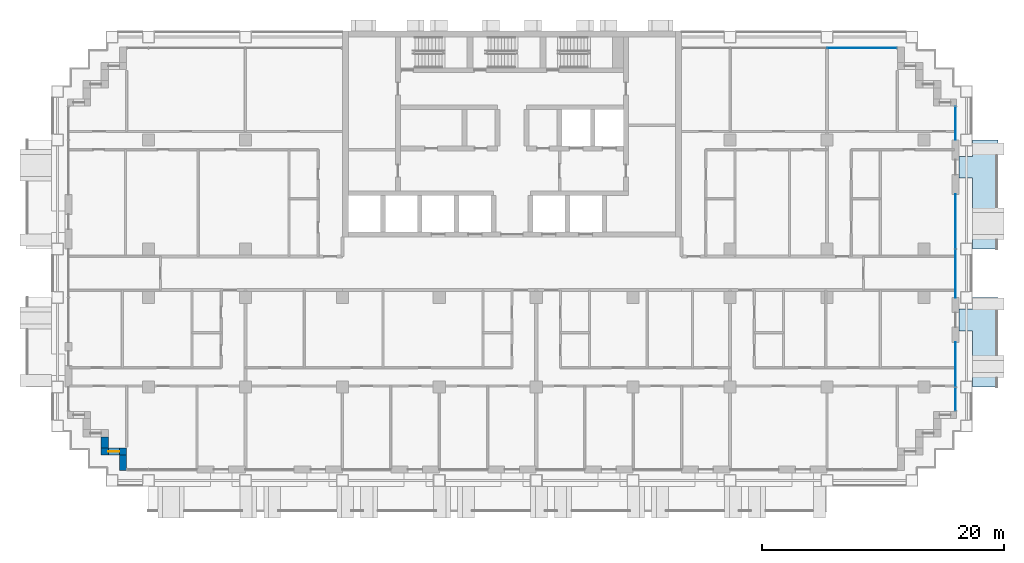
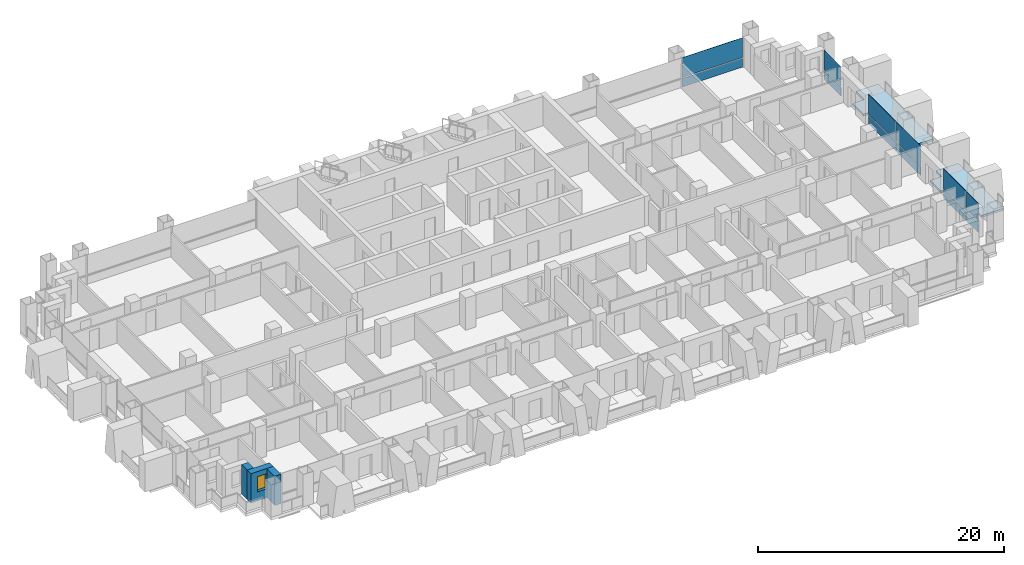
# One storey, part 8 of 18: 12 plates, 3 walls, 2 slabs, 1 window, 1 opening, 4 elements without a shape of their own.
"""IFC4 building model written with IfcOpenShell, lengths in metres."""

from ifc_helpers import new_model, si_unit, direction, frame, frame_2d, origin, origin_2d, place, context, subcontext, project, spatial, polyline, rectangle, outline, extrude, material, layer, layer_set, type_object, element, fill, aggregate, save


model = new_model("IFC4")

# Units and contexts
model_context = context("Model", 3, precision=1e-05, world=origin(), true_north=direction((0.0, 1.0)))
body_context = subcontext(model_context, "Body", "Model", "MODEL_VIEW")
ifc_project = project(units=[si_unit("LENGTHUNIT", "METRE"), si_unit("AREAUNIT", "SQUARE_METRE"), si_unit("VOLUMEUNIT", "CUBIC_METRE"), si_unit("PLANEANGLEUNIT", "RADIAN"), si_unit("MASSUNIT", "GRAM", prefix="KILO")], contexts=[model_context])

# Site, building, storey
site_placement = place(None, origin())
site = spatial("IfcSite", under=ifc_project, at=site_placement, CompositionType="ELEMENT")
building_placement = place(site_placement, origin())
building = spatial("IfcBuilding", under=site, at=building_placement, Name="Vidyagriha Tower", CompositionType="ELEMENT")
storey_placement = place(building_placement, frame((0.0, 0.0, 48.0)))
storey = spatial("IfcBuildingStorey", under=building, at=storey_placement, Name="L12", CompositionType="ELEMENT", Elevation=48.0)

# Curtain wall, plate
ifc_material_1 = material(Name="Aluminium and glass curtain wall", Category="aluminium")
curtain_wall_type = type_object("IfcCurtainWallType", Name="Dwelling skin unitised curtain wall", PredefinedType="USERDEFINED", material=ifc_material_1)
curtain_wall_1_placement = place(storey_placement, origin())
curtain_wall_1 = element("IfcCurtainWall", 1, at=curtain_wall_1_placement, inside=storey, type_object=curtain_wall_type, Name="CW1 dwelling skin", ObjectType="UNITISED", PredefinedType="USERDEFINED")
ifc_material_2 = material(Name="Glass dark ceramic-fritted spandrel", Category="glass")
ifc_layer_1 = layer(ifc_material_2, 0.0400390625)
ifc_layer_set_1 = layer_set([ifc_layer_1], Name="Glass dark ceramic-fritted spandrel")
plate_type_1 = type_object("IfcPlateType", Name="Ceramic-fritted spandrel panel", PredefinedType="CURTAIN_PANEL", material=ifc_layer_set_1)
plate_1_placement = place(storey_placement, frame((28.882568359375, 18.60009765625, 0.0), z_axis=(0.0, 0.0, 1.0), x_axis=(-1.0, 0.0, 0.0)))
plate_1 = element("IfcPlate", 2, at=plate_1_placement, type_object=plate_type_1, Name="CW1 panel 1.1", PredefinedType="CURTAIN_PANEL", context=body_context, shape_type="SweptSolid", body=[
    extrude(rectangle(XDim=5.695068359375, YDim=0.0400390625, at=origin_2d()), origin(), (0.0, 0.0, 1.0), 0.85009765625),
])

# Curtain wall, plates
curtain_wall_2_placement = place(storey_placement, origin())
curtain_wall_2 = element("IfcCurtainWall", 3, at=curtain_wall_2_placement, inside=storey, type_object=curtain_wall_type, Name="CW1 dwelling skin", ObjectType="UNITISED", PredefinedType="USERDEFINED")
plate_2_placement = place(storey_placement, frame((36.60009765625, -10.382568359375, 0.0), z_axis=(0.0, 0.0, 1.0), x_axis=(0.0, 1.0, 0.0)))
plate_2 = element("IfcPlate", 4, at=plate_2_placement, type_object=plate_type_1, Name="CW1 panel 1.1", PredefinedType="CURTAIN_PANEL", context=body_context, shape_type="SweptSolid", body=[
    extrude(rectangle(XDim=1.89501953125, YDim=0.0400390625, at=origin_2d()), origin(), (0.0, 0.0, 1.0), 0.85009765625),
])
plate_3_placement = place(storey_placement, frame((36.60009765625, -7.532470703125, 0.0), z_axis=(0.0, 0.0, 1.0), x_axis=(0.0, 1.0, 0.0)))
plate_3 = element("IfcPlate", 5, at=plate_3_placement, type_object=plate_type_1, Name="CW1 panel 2.1", PredefinedType="CURTAIN_PANEL", context=body_context, shape_type="SweptSolid", body=[
    extrude(rectangle(XDim=3.6650390625, YDim=0.0400390625, at=origin_2d()), origin(), (0.0, 0.0, 1.0), 0.85009765625),
])

# Curtain wall, plate
curtain_wall_3_placement = place(storey_placement, origin())
curtain_wall_3 = element("IfcCurtainWall", 6, at=curtain_wall_3_placement, inside=storey, type_object=curtain_wall_type, Name="CW1 dwelling skin", ObjectType="UNITISED", PredefinedType="USERDEFINED")
plate_4_placement = place(storey_placement, frame((36.60009765625, 12.364990234375, 0.0), z_axis=(0.0, 0.0, 1.0), x_axis=(0.0, 1.0, 0.0)))
plate_4 = element("IfcPlate", 7, at=plate_4_placement, type_object=plate_type_1, Name="CW1 panel 1.1", PredefinedType="CURTAIN_PANEL", context=body_context, shape_type="SweptSolid", body=[
    extrude(rectangle(XDim=2.72998046875, YDim=0.0400390625, at=origin_2d()), origin(), (0.0, 0.0, 1.0), 0.85009765625),
])

# Plate
ifc_material_3 = material(Name="Glass dark ceramic-fritted", Category="glass")
ifc_layer_2 = layer(ifc_material_3, 0.028076171875)
ifc_layer_set_2 = layer_set([ifc_layer_2], Name="Glass dark ceramic-fritted")
plate_type_2 = type_object("IfcPlateType", Name="Dark ceramic-fritted vision glass panel", PredefinedType="CURTAIN_PANEL", material=ifc_layer_set_2)
plate_5_placement = place(storey_placement, frame((28.882568359375, 18.60009765625, 0.9501953125), z_axis=(0.0, 0.0, 1.0), x_axis=(-1.0, 0.0, 0.0)))
plate_5 = element("IfcPlate", 8, at=plate_5_placement, type_object=plate_type_2, Name="CW1 panel 1.2", PredefinedType="CURTAIN_PANEL", context=body_context, shape_type="SweptSolid", body=[
    extrude(rectangle(XDim=5.695068359375, YDim=0.028076171875, at=origin_2d()), origin(), (0.0, 0.0, 1.0), 1.969970703125),
])

aggregate(curtain_wall_1, [plate_1, plate_5])

plate_6_placement = place(storey_placement, frame((36.60009765625, -10.382568359375, 0.9501953125), z_axis=(0.0, 0.0, 1.0), x_axis=(0.0, 1.0, 0.0)))
plate_6 = element("IfcPlate", 9, at=plate_6_placement, type_object=plate_type_2, Name="CW1 panel 1.2", PredefinedType="CURTAIN_PANEL", context=body_context, shape_type="SweptSolid", body=[
    extrude(rectangle(XDim=1.89501953125, YDim=0.028076171875, at=origin_2d()), origin(), (0.0, 0.0, 1.0), 1.969970703125),
])

plate_7_placement = place(storey_placement, frame((36.60009765625, -7.532470703125, 0.9501953125), z_axis=(0.0, 0.0, 1.0), x_axis=(0.0, 1.0, 0.0)))
plate_7 = element("IfcPlate", 10, at=plate_7_placement, type_object=plate_type_2, Name="CW1 panel 2.2", PredefinedType="CURTAIN_PANEL", context=body_context, shape_type="SweptSolid", body=[
    extrude(rectangle(XDim=3.6650390625, YDim=0.028076171875, at=origin_2d()), origin(), (0.0, 0.0, 1.0), 1.969970703125),
])

aggregate(curtain_wall_2, [plate_2, plate_6, plate_3, plate_7])

# Curtain wall, plates
curtain_wall_4_placement = place(storey_placement, origin())
curtain_wall_4 = element("IfcCurtainWall", 11, at=curtain_wall_4_placement, inside=storey, type_object=curtain_wall_type, Name="CW1 dwelling skin", ObjectType="UNITISED", PredefinedType="USERDEFINED")
plate_8_placement = place(storey_placement, frame((36.60009765625, -0.017578125, 0.9501953125), z_axis=(0.0, 0.0, 1.0), x_axis=(0.0, 1.0, 0.0)))
plate_8 = element("IfcPlate", 12, at=plate_8_placement, type_object=plate_type_2, Name="CW1 panel 1.2", PredefinedType="CURTAIN_PANEL", context=body_context, shape_type="SweptSolid", body=[
    extrude(rectangle(XDim=3.965087890625, YDim=0.028076171875, at=origin_2d()), origin(), (0.0, 0.0, 1.0), 1.969970703125),
])
plate_9_placement = place(storey_placement, frame((36.60009765625, 4.267578125, 0.9501953125), z_axis=(0.0, 0.0, 1.0), x_axis=(0.0, 1.0, 0.0)))
plate_9 = element("IfcPlate", 13, at=plate_9_placement, type_object=plate_type_2, Name="CW1 panel 2.2", PredefinedType="CURTAIN_PANEL", context=body_context, shape_type="SweptSolid", body=[
    extrude(rectangle(XDim=4.465087890625, YDim=0.028076171875, at=origin_2d()), origin(), (0.0, 0.0, 1.0), 1.969970703125),
])

# Plate
plate_10_placement = place(storey_placement, frame((36.60009765625, 12.364990234375, 0.9501953125), z_axis=(0.0, 0.0, 1.0), x_axis=(0.0, 1.0, 0.0)))
plate_10 = element("IfcPlate", 14, at=plate_10_placement, type_object=plate_type_2, Name="CW1 panel 1.2", PredefinedType="CURTAIN_PANEL", context=body_context, shape_type="SweptSolid", body=[
    extrude(rectangle(XDim=2.72998046875, YDim=0.028076171875, at=origin_2d()), origin(), (0.0, 0.0, 1.0), 1.969970703125),
])

aggregate(curtain_wall_3, [plate_4, plate_10])

ifc_material_4 = material(Name="Aluminium black anodised", Category="aluminium")
ifc_layer_3 = layer(ifc_material_4, 0.06005859375)
ifc_layer_set_3 = layer_set([ifc_layer_3], Name="Aluminium black anodised")
plate_type_3 = type_object("IfcPlateType", Name="Operable black-metal vent panel", PredefinedType="CURTAIN_PANEL", material=ifc_layer_set_3)
plate_11_placement = place(storey_placement, frame((36.60009765625, -0.017578125, 0.0), z_axis=(0.0, 0.0, 1.0), x_axis=(0.0, 1.0, 0.0)))
plate_11 = element("IfcPlate", 15, at=plate_11_placement, type_object=plate_type_3, Name="CW1 panel 1.1", PredefinedType="CURTAIN_PANEL", context=body_context, shape_type="SweptSolid", body=[
    extrude(rectangle(XDim=3.965087890625, YDim=0.06005859375, at=origin_2d()), origin(), (0.0, 0.0, 1.0), 0.85009765625),
])

plate_12_placement = place(storey_placement, frame((36.60009765625, 4.267578125, 0.0), z_axis=(0.0, 0.0, 1.0), x_axis=(0.0, 1.0, 0.0)))
plate_12 = element("IfcPlate", 16, at=plate_12_placement, type_object=plate_type_3, Name="CW1 panel 2.1", PredefinedType="CURTAIN_PANEL", context=body_context, shape_type="SweptSolid", body=[
    extrude(rectangle(XDim=4.465087890625, YDim=0.06005859375, at=origin_2d()), origin(), (0.0, 0.0, 1.0), 0.85009765625),
])

aggregate(curtain_wall_4, [plate_11, plate_8, plate_12, plate_9])

# Slabs
ifc_material_5 = material(Name="Precast concrete C40/50", Category="concrete")
ifc_layer_4 = layer(ifc_material_5, 0.199951171875)
ifc_layer_set_4 = layer_set([ifc_layer_4], Name="Precast concrete C40/50")
slab_type = type_object("IfcSlabType", Name="Precast balcony slab 200", PredefinedType="USERDEFINED", material=ifc_layer_set_4)
slab_1_placement = place(storey_placement, frame((0.0, 0.0, -0.199951171875)))
element("IfcSlab", 17, at=slab_1_placement, inside=storey, type_object=slab_type, Name="Balcony slab L12 R30.1-1", ObjectType="BALCONY", PredefinedType="USERDEFINED", context=body_context, shape_type="SweptSolid", body=[
    extrude(outline(polyline([(38.0, -4.75), (38.0, -9.39990234375), (40.10009765625, -9.39990234375), (40.10009765625, -2.0), (38.0, -2.0), (38.0, -2.949951171875), (36.89990234375, -2.949951171875), (36.89990234375, -4.75), (38.0, -4.75)])), origin(), (0.0, 0.0, 1.0), 0.199951171875),
])
slab_2_placement = place(storey_placement, frame((0.0, 0.0, -0.199951171875)))
element("IfcSlab", 18, at=slab_2_placement, inside=storey, type_object=slab_type, Name="Balcony slab L12 R30.2-2", ObjectType="BALCONY", PredefinedType="USERDEFINED", context=body_context, shape_type="SweptSolid", body=[
    extrude(outline(polyline([(38.0, 7.85009765625), (38.0, 2.0), (40.10009765625, 2.0), (40.10009765625, 11.0), (38.0, 11.0), (38.0, 9.64990234375), (36.89990234375, 9.64990234375), (36.89990234375, 7.85009765625), (38.0, 7.85009765625)])), origin(), (0.0, 0.0, 1.0), 0.199951171875),
])

# Wall
ifc_material_6 = material(Name="Precast concrete C40/50 with brick facing", Category="concrete")
ifc_layer_5 = layer(ifc_material_6, 0.60009765625)
ifc_layer_set_5 = layer_set([ifc_layer_5], Name="Precast concrete C40/50 with brick facing")
wall_type = type_object("IfcWallType", Name="Brick-faced precast wall 600", PredefinedType="STANDARD", material=ifc_layer_set_5)
wall_1_placement = place(storey_placement, frame((-33.60009765625, -13.5, 0.0), z_axis=(0.0, 0.0, 1.0), x_axis=(0.0, -1.0, 0.0)))
element("IfcWall", 19, at=wall_1_placement, inside=storey, type_object=wall_type, Name="Stepped corner wall L12 R20", PredefinedType="STANDARD", context=body_context, shape_type="SweptSolid", body=[
    extrude(rectangle(XDim=0.89990234375, YDim=0.60009765625, at=frame_2d((0.449951171875, 0.0))), origin(), (0.0, 0.0, 1.0), 2.919921875),
])

# Wall, opening, window
wall_2_placement = place(storey_placement, frame((-33.89990234375, -14.699951171875, 0.0)))
wall_2 = element("IfcWall", 20, at=wall_2_placement, inside=storey, type_object=wall_type, Name="Stepped corner wall L12 R21", PredefinedType="STANDARD", context=body_context, shape_type="SweptSolid", body=[
    extrude(rectangle(XDim=2.099853515625, YDim=0.60009765625, at=frame_2d((1.0498046875, 0.0))), origin(), (0.0, 0.0, 1.0), 2.919921875),
])
opening_placement = place(wall_2_placement, frame((0.60009765625, 0.0, 0.89990234375)))
opening = element("IfcOpeningElement", 21, at=opening_placement, cuts=wall_2, Name="Opening WN1", PredefinedType="OPENING", context=body_context, shape_type="SweptSolid", body=[
    extrude(rectangle(XDim=0.89990234375, YDim=1.5, at=frame_2d((0.449951171875, 0.75))), frame((0.0, 0.31005859375, 0.0), z_axis=(0.0, -1.0, 0.0), x_axis=(1.0, 0.0, 0.0)), (0.0, 0.0, 1.0), 0.6201171875),
])
ifc_material_7 = material(Name="Aluminium and glass window", Category="aluminium")
window_type = type_object("IfcWindowType", Name="Reveal window 900x1500", PartitioningType="NOTDEFINED", PredefinedType="WINDOW", material=ifc_material_7)
window_placement = place(opening_placement, origin())
window = element("IfcWindow", 22, at=window_placement, inside=storey, type_object=window_type, Name="Reveal window L12 R21", OverallHeight=1.5, OverallWidth=0.89990234375, PartitioningType="SINGLE_PANEL", PredefinedType="WINDOW", context=body_context, shape_type="SweptSolid", body=[
    extrude(rectangle(XDim=0.89990234375, YDim=1.5, at=frame_2d((0.449951171875, 0.75))), frame((0.0, 0.030029296875, 0.0), z_axis=(0.0, -1.0, 0.0), x_axis=(1.0, 0.0, 0.0)), (0.0, 0.0, 1.0), 0.06005859375),
])
fill(opening, window)

# Wall
wall_3_placement = place(storey_placement, frame((-32.10009765625, -15.0, 0.0), z_axis=(0.0, 0.0, 1.0), x_axis=(0.0, -1.0, 0.0)))
element("IfcWall", 23, at=wall_3_placement, inside=storey, type_object=wall_type, Name="Stepped corner wall L12 R22", PredefinedType="STANDARD", context=body_context, shape_type="SweptSolid", body=[
    extrude(rectangle(XDim=1.280029296875, YDim=0.60009765625, at=frame_2d((0.64013671875, 0.0))), origin(), (0.0, 0.0, 1.0), 2.919921875),
])

save(model, "model.ifc")
